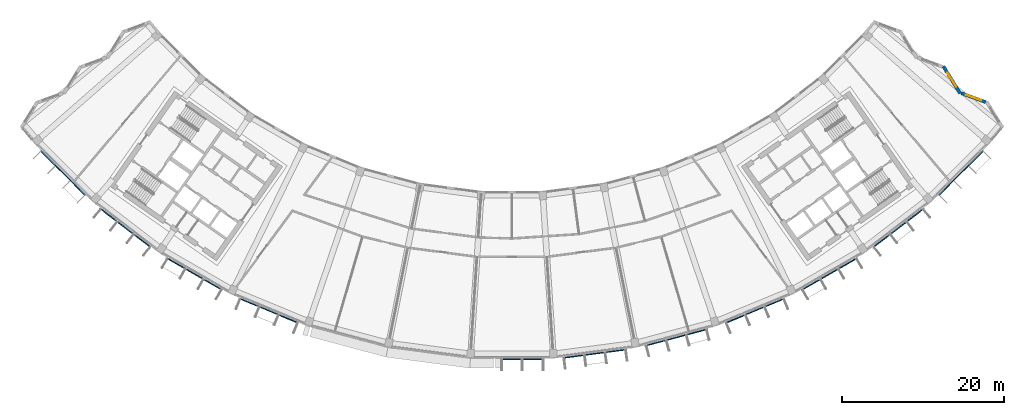
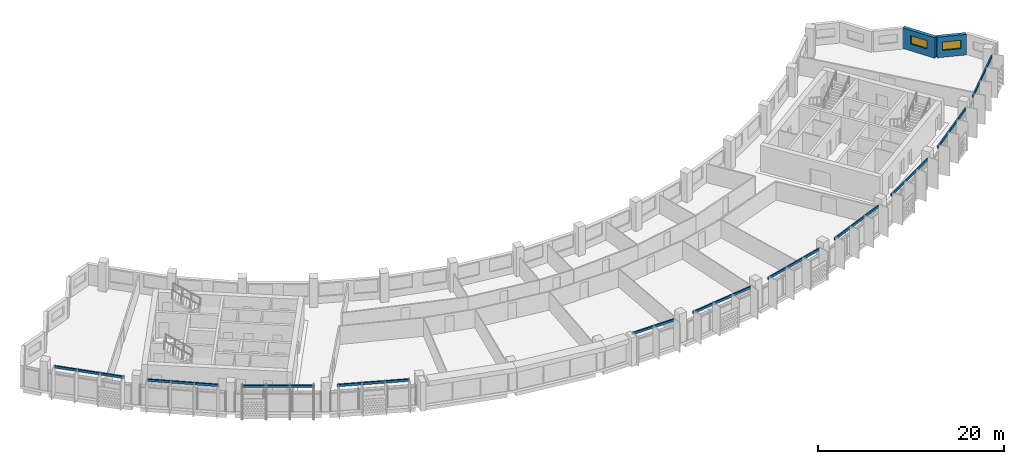
# One storey, part 8 of 27: 11 discrete accessories, 2 walls, 2 windows, 2 openings.
"""IFC4 building model written with IfcOpenShell, lengths in metres."""

from ifc_helpers import new_model, si_unit, direction, frame, frame_2d, origin, origin_2d, place, context, subcontext, project, spatial, rectangle, extrude, material, layer, layer_set, type_object, element, fill, save


model = new_model("IFC4")

# Units and contexts
model_context = context("Model", 3, precision=1e-05, world=origin(), true_north=direction((0.0, 1.0)))
body_context = subcontext(model_context, "Body", "Model", "MODEL_VIEW")
ifc_project = project(units=[si_unit("LENGTHUNIT", "METRE"), si_unit("AREAUNIT", "SQUARE_METRE"), si_unit("VOLUMEUNIT", "CUBIC_METRE"), si_unit("PLANEANGLEUNIT", "RADIAN"), si_unit("MASSUNIT", "GRAM", prefix="KILO")], contexts=[model_context])

# Site, building, storey
site_placement = place(None, origin())
site = spatial("IfcSite", under=ifc_project, at=site_placement, CompositionType="ELEMENT")
building_placement = place(site_placement, origin())
building = spatial("IfcBuilding", under=site, at=building_placement, Name="Qamariyya Broadcast Tower", CompositionType="ELEMENT")
storey_placement = place(building_placement, frame((0.0, 0.0, 280.89990234375)))
storey = spatial("IfcBuildingStorey", under=building, at=storey_placement, Name="L68", CompositionType="ELEMENT", Elevation=280.89990234375)

# Wall, opening, window
ifc_material_1 = material(Name="Terracotta", Category="masonry")
ifc_layer = layer(ifc_material_1, 0.39990234375)
ifc_layer_set = layer_set([ifc_layer], Name="Terracotta clad wall 400")
wall_type = type_object("IfcWallType", Name="Terracotta clad wall 400", PredefinedType="SOLIDWALL", material=ifc_layer_set)
wall_1_placement = place(storey_placement, frame((58.377685546875, -46.5849609375, 0.0), z_axis=(0.0, 0.0, 1.0), x_axis=(-0.939304643995, 0.343084225475, 0.0)))
wall_1 = element("IfcWall", 1, at=wall_1_placement, inside=storey, type_object=wall_type, Name="e-wl-L68-capE1", PredefinedType="SOLIDWALL", context=body_context, shape_type="SweptSolid", body=[
    extrude(rectangle(XDim=3.2001953125, YDim=0.39990234375, at=frame_2d((1.60009765625, 0.0))), origin(), (0.0, 0.0, 1.0), 2.7001953125),
])
opening_1_placement = place(wall_1_placement, frame((0.60009765625, 0.0, 0.89990234375)))
opening_1 = element("IfcOpeningElement", 2, at=opening_1_placement, cuts=wall_1, Name="Opening W4", PredefinedType="OPENING", context=body_context, shape_type="SweptSolid", body=[
    extrude(rectangle(XDim=2.0, YDim=1.10009765625, at=frame_2d((1.0, 0.550048828125))), frame((0.0, 0.2099609375, 0.0), z_axis=(0.0, -1.0, 0.0), x_axis=(1.0, 0.0, 0.0)), (0.0, 0.0, 1.0), 0.419921875),
])
ifc_material_2 = material(Name="Clear low-e double glazed unit in aluminium frame", Category="aluminium")
window_type = type_object("IfcWindowType", Name="Horn bay window 2000 x 1100", PartitioningType="SINGLE_PANEL", PredefinedType="WINDOW", material=ifc_material_2)
window_1_placement = place(opening_1_placement, origin())
window_1 = element("IfcWindow", 3, at=window_1_placement, inside=storey, type_object=window_type, Name="e-w-L68-capE1", OverallHeight=1.10009765625, OverallWidth=2.0, PartitioningType="SINGLE_PANEL", PredefinedType="WINDOW", context=body_context, shape_type="SweptSolid", body=[
    extrude(rectangle(XDim=2.0, YDim=1.10009765625, at=frame_2d((1.0, 0.550048828125))), frame((0.0, 0.030029296875, 0.0), z_axis=(0.0, -1.0, 0.0), x_axis=(1.0, 0.0, 0.0)), (0.0, 0.0, 1.0), 0.06005859375),
])
fill(opening_1, window_1)

wall_2_placement = place(storey_placement, frame((55.22900390625, -45.517578125, 0.0), z_axis=(0.0, 0.0, 1.0), x_axis=(-0.523742291876, 0.851876758516, 0.0)))
wall_2 = element("IfcWall", 4, at=wall_2_placement, inside=storey, type_object=wall_type, Name="e-wl-L68-capE2", PredefinedType="SOLIDWALL", context=body_context, shape_type="SweptSolid", body=[
    extrude(rectangle(XDim=3.912841796875, YDim=0.39990234375, at=frame_2d((1.95654296875, 0.0))), origin(), (0.0, 0.0, 1.0), 2.7001953125),
])
opening_2_placement = place(wall_2_placement, frame((0.956298828125, 0.0, 0.89990234375)))
opening_2 = element("IfcOpeningElement", 5, at=opening_2_placement, cuts=wall_2, Name="Opening W4", PredefinedType="OPENING", context=body_context, shape_type="SweptSolid", body=[
    extrude(rectangle(XDim=2.0, YDim=1.10009765625, at=frame_2d((1.0, 0.550048828125))), frame((0.0, 0.2099609375, 0.0), z_axis=(0.0, -1.0, 0.0), x_axis=(1.0, 0.0, 0.0)), (0.0, 0.0, 1.0), 0.419921875),
])
window_2_placement = place(opening_2_placement, origin())
window_2 = element("IfcWindow", 6, at=window_2_placement, inside=storey, type_object=window_type, Name="e-w-L68-capE2", OverallHeight=1.10009765625, OverallWidth=2.0, PartitioningType="SINGLE_PANEL", PredefinedType="WINDOW", context=body_context, shape_type="SweptSolid", body=[
    extrude(rectangle(XDim=2.0, YDim=1.10009765625, at=frame_2d((1.0, 0.550048828125))), frame((0.0, 0.030029296875, 0.0), z_axis=(0.0, -1.0, 0.0), x_axis=(1.0, 0.0, 0.0)), (0.0, 0.0, 1.0), 0.06005859375),
])
fill(opening_2, window_2)

# Discrete accessories
ifc_material_3 = material(Name="Stainless steel 316", Category="steel")
discrete_accessory_type = type_object("IfcDiscreteAccessoryType", Name="Slab edge fixing angle, stainless steel", PredefinedType="BRACKET", material=ifc_material_3)
for number, where, z_axis, x_axis, name in (
    (7, (-55.336181640625, -55.336181640625, 3.30029296875), (0.0, 0.0, 1.0), (0.707106781187, -0.707106781187, 0.0), "e-br-L68-01-0"),
    (8, (-47.639892578125, -62.085693359375, 3.30029296875), (0.0, 0.0, 1.0), (0.793353340291, -0.608761429009, 0.0), "e-br-L68-02-0"),
    (9, (-39.128662109375, -67.772705078125, 3.30029296875), (0.0, 0.0, 1.0), (0.866025403784, -0.5, 0.0), "e-br-L68-03-0"),
    (10, (-29.94775390625, -72.30029296875, 3.30029296875), (0.0, 0.0, 1.0), (0.923879532511, -0.382683432365, 0.0), "e-br-L68-04-0"),
):
    element("IfcDiscreteAccessory", number, at=place(storey_placement, frame(where, z_axis=z_axis, x_axis=x_axis)), inside=storey, type_object=discrete_accessory_type, Name=name, PredefinedType="BRACKET", context=body_context, shape_type="SweptSolid", body=[
        extrude(rectangle(XDim=7.78662109375, YDim=0.14990234375, at=origin_2d()), origin(), (0.0, 0.0, 1.0), 0.300048828125),
    ])
discrete_accessory_placement = place(storey_placement, frame((1.281005859375, -78.25732421875, 3.30029296875), z_axis=(0.0, 0.0, 1.0), x_axis=(1.0, 0.0, 0.0)))
element("IfcDiscreteAccessory", 11, at=discrete_accessory_placement, inside=storey, type_object=discrete_accessory_type, Name="e-br-L68-07-0", PredefinedType="BRACKET", context=body_context, shape_type="SweptSolid", body=[
    extrude(rectangle(XDim=5.224365234375, YDim=0.14990234375, at=origin_2d()), origin(), (0.0, 0.0, 1.0), 0.300048828125),
])
for number, where, z_axis, x_axis, name in (
    (12, (10.214599609375, -77.587646484375, 3.30029296875), (0.0, 0.0, 1.0), (0.991444861374, 0.13052619222, 0.0), "e-br-L68-08-0"),
    (13, (20.25439453125, -75.590576171875, 3.30029296875), (0.0, 0.0, 1.0), (0.965925826289, 0.258819045103, 0.0), "e-br-L68-09-0"),
    (14, (29.94775390625, -72.30029296875, 3.30029296875), (0.0, 0.0, 1.0), (0.923879532511, 0.382683432365, 0.0), "e-br-L68-10-0"),
    (15, (39.128662109375, -67.772705078125, 3.30029296875), (0.0, 0.0, 1.0), (0.866025403784, 0.5, 0.0), "e-br-L68-11-0"),
    (16, (47.639892578125, -62.085693359375, 3.30029296875), (0.0, 0.0, 1.0), (0.793353340291, 0.608761429009, 0.0), "e-br-L68-12-0"),
    (17, (55.336181640625, -55.336181640625, 3.30029296875), (0.0, 0.0, 1.0), (0.707106781187, 0.707106781187, 0.0), "e-br-L68-13-0"),
):
    element("IfcDiscreteAccessory", number, at=place(storey_placement, frame(where, z_axis=z_axis, x_axis=x_axis)), inside=storey, type_object=discrete_accessory_type, Name=name, PredefinedType="BRACKET", context=body_context, shape_type="SweptSolid", body=[
        extrude(rectangle(XDim=7.78662109375, YDim=0.14990234375, at=origin_2d()), origin(), (0.0, 0.0, 1.0), 0.300048828125),
    ])

save(model, "model.ifc")
